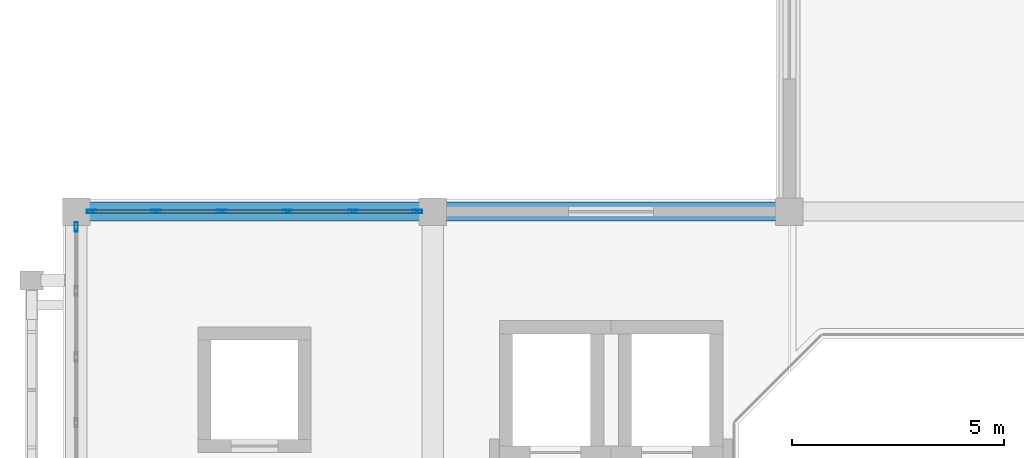
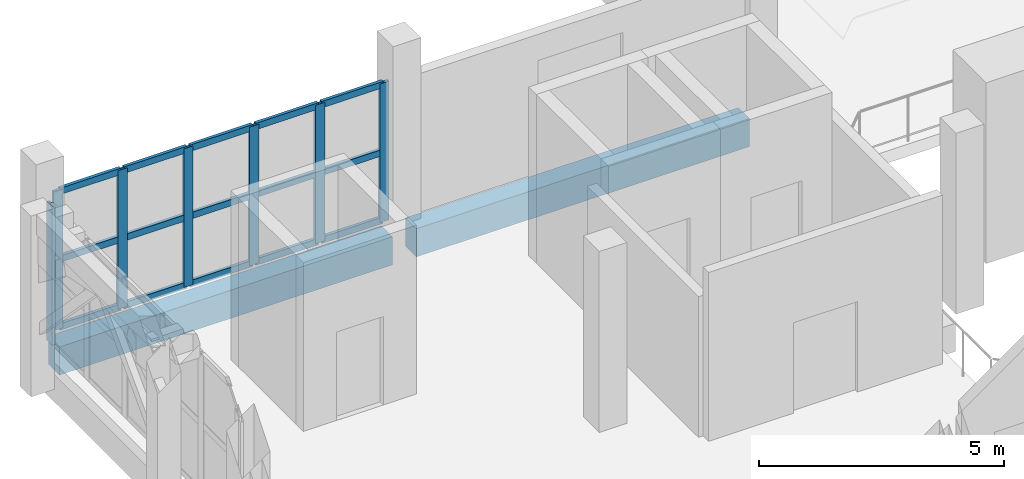
# One storey, part 9 of 22: 22 members, 2 beams, 2 elements without a shape of their own.
"""IFC4 building model written with IfcOpenShell, lengths in metres."""

from ifc_helpers import new_model, si_unit, direction, frame, origin, origin_2d, place, context, subcontext, project, spatial, rectangle, hollow_rectangle, extrude, material, layer, layer_set, material_profile, profile_set, type_object, element, aggregate, save


model = new_model("IFC4")

# Units and contexts
model_context = context("Model", 3, precision=1e-05, world=origin(), true_north=direction((0.0, 1.0)))
body_context = subcontext(model_context, "Body", "Model", "MODEL_VIEW")
ifc_project = project(units=[si_unit("LENGTHUNIT", "METRE"), si_unit("AREAUNIT", "SQUARE_METRE"), si_unit("VOLUMEUNIT", "CUBIC_METRE"), si_unit("PLANEANGLEUNIT", "RADIAN"), si_unit("MASSUNIT", "GRAM", prefix="KILO")], contexts=[model_context])

# Site, building, storey
site_placement = place(None, origin())
site = spatial("IfcSite", under=ifc_project, at=site_placement, CompositionType="ELEMENT")
building_placement = place(site_placement, origin())
building = spatial("IfcBuilding", under=site, at=building_placement, Name="Xazarin Passage Department Store", CompositionType="ELEMENT")
storey_placement = place(building_placement, frame((0.0, 0.0, 27.89990234375)))
storey = spatial("IfcBuildingStorey", under=building, at=storey_placement, Name="L06", CompositionType="ELEMENT", Elevation=27.89990234375)

# Curtain wall, members
ifc_material_1 = material(Name="Bronze anodised aluminium", Category="aluminium")
ifc_layer = layer(ifc_material_1, 0.199951171875)
ifc_layer_set = layer_set([ifc_layer], Name="Bronze anodised aluminium")
curtain_wall_type = type_object("IfcCurtainWallType", Name="ARC-CW-VIT2", PredefinedType="NOTDEFINED", material=ifc_layer_set)
curtain_wall_1_placement = place(storey_placement, origin())
curtain_wall_1 = element("IfcCurtainWall", 1, at=curtain_wall_1_placement, inside=storey, type_object=curtain_wall_type, Name="L06 V1 Curtain Wall 087", PredefinedType="NOTDEFINED")
ifc_material_profile_1 = material_profile(ifc_material_1, hollow_rectangle(XDim=0.074951171875, YDim=0.219970703125, WallThickness=0.0048828125, at=origin_2d()), Name="ALU 75x220")
ifc_profile_set_1 = profile_set([ifc_material_profile_1], Name="Bronze anodised aluminium")
member_type_1 = type_object("IfcMemberType", Name="ARC-CWM-75x220", PredefinedType="MULLION", material=ifc_profile_set_1)
member_1_placement = place(storey_placement, frame((0.362548828125, 101.60009765625, 0.0), z_axis=(0.0, 0.0, 1.0), x_axis=(0.0, 1.0, 0.0)))
member_1 = element("IfcMember", 2, at=member_1_placement, type_object=member_type_1, Name="CW2 mullion 1", PredefinedType="MULLION", context=body_context, shape_type="SweptSolid", body=[
    extrude(hollow_rectangle(XDim=0.074951171875, YDim=0.219970703125, WallThickness=0.0048828125, at=origin_2d()), origin(), (0.0, 0.0, 1.0), 3.4501953125),
])
member_2_placement = place(storey_placement, frame((1.875, 101.60009765625, 0.0), z_axis=(0.0, 0.0, 1.0), x_axis=(0.0, 1.0, 0.0)))
member_2 = element("IfcMember", 3, at=member_2_placement, type_object=member_type_1, Name="CW2 mullion 2", PredefinedType="MULLION", context=body_context, shape_type="SweptSolid", body=[
    extrude(hollow_rectangle(XDim=0.074951171875, YDim=0.219970703125, WallThickness=0.0048828125, at=origin_2d()), origin(), (0.0, 0.0, 1.0), 3.4501953125),
])
member_3_placement = place(storey_placement, frame((3.425048828125, 101.60009765625, 0.0), z_axis=(0.0, 0.0, 1.0), x_axis=(0.0, 1.0, 0.0)))
member_3 = element("IfcMember", 4, at=member_3_placement, type_object=member_type_1, Name="CW2 mullion 3", PredefinedType="MULLION", context=body_context, shape_type="SweptSolid", body=[
    extrude(hollow_rectangle(XDim=0.074951171875, YDim=0.219970703125, WallThickness=0.0048828125, at=origin_2d()), origin(), (0.0, 0.0, 1.0), 3.4501953125),
])
member_4_placement = place(storey_placement, frame((4.97509765625, 101.60009765625, 0.0), z_axis=(0.0, 0.0, 1.0), x_axis=(0.0, 1.0, 0.0)))
member_4 = element("IfcMember", 5, at=member_4_placement, type_object=member_type_1, Name="CW2 mullion 4", PredefinedType="MULLION", context=body_context, shape_type="SweptSolid", body=[
    extrude(hollow_rectangle(XDim=0.074951171875, YDim=0.219970703125, WallThickness=0.0048828125, at=origin_2d()), origin(), (0.0, 0.0, 1.0), 3.4501953125),
])
member_5_placement = place(storey_placement, frame((6.52490234375, 101.60009765625, 0.0), z_axis=(0.0, 0.0, 1.0), x_axis=(0.0, 1.0, 0.0)))
member_5 = element("IfcMember", 6, at=member_5_placement, type_object=member_type_1, Name="CW2 mullion 5", PredefinedType="MULLION", context=body_context, shape_type="SweptSolid", body=[
    extrude(hollow_rectangle(XDim=0.074951171875, YDim=0.219970703125, WallThickness=0.0048828125, at=origin_2d()), origin(), (0.0, 0.0, 1.0), 3.4501953125),
])
member_6_placement = place(storey_placement, frame((8.03759765625, 101.60009765625, 0.0), z_axis=(0.0, 0.0, 1.0), x_axis=(0.0, 1.0, 0.0)))
member_6 = element("IfcMember", 7, at=member_6_placement, type_object=member_type_1, Name="CW2 mullion 6", PredefinedType="MULLION", context=body_context, shape_type="SweptSolid", body=[
    extrude(hollow_rectangle(XDim=0.074951171875, YDim=0.219970703125, WallThickness=0.0048828125, at=origin_2d()), origin(), (0.0, 0.0, 1.0), 3.4501953125),
])

# Curtain wall, member
curtain_wall_2_placement = place(storey_placement, origin())
curtain_wall_2 = element("IfcCurtainWall", 8, at=curtain_wall_2_placement, inside=storey, type_object=curtain_wall_type, Name="L06 V1 Curtain Wall 090", PredefinedType="NOTDEFINED")
member_7_placement = place(storey_placement, frame((0.0, 101.237548828125, 0.0), z_axis=(0.0, 0.0, 1.0), x_axis=(-1.0, 0.0, 0.0)))
member_7 = element("IfcMember", 9, at=member_7_placement, type_object=member_type_1, Name="CW2 mullion 6", PredefinedType="MULLION", context=body_context, shape_type="SweptSolid", body=[
    extrude(hollow_rectangle(XDim=0.074951171875, YDim=0.219970703125, WallThickness=0.0048828125, at=origin_2d()), origin(), (0.0, 0.0, 1.0), 3.4501953125),
])
aggregate(curtain_wall_2, [member_7])

# Member
ifc_material_profile_2 = material_profile(ifc_material_1, hollow_rectangle(XDim=0.074951171875, YDim=0.159912109375, WallThickness=0.00439453125, at=origin_2d()), Name="ALU 75x160")
ifc_profile_set_2 = profile_set([ifc_material_profile_2], Name="Bronze anodised aluminium")
member_type_2 = type_object("IfcMemberType", Name="ARC-CWT-75x160", PredefinedType="USERDEFINED", material=ifc_profile_set_2)
member_8_placement = place(storey_placement, frame((0.39990234375, 101.60009765625, 0.03759765625), z_axis=(1.0, 0.0, 0.0), x_axis=(0.0, 1.0, 0.0)))
member_8 = element("IfcMember", 10, at=member_8_placement, type_object=member_type_2, Name="CW2 transom 1.1", ObjectType="TRANSOM", PredefinedType="USERDEFINED", context=body_context, shape_type="SweptSolid", body=[
    extrude(hollow_rectangle(XDim=0.074951171875, YDim=0.159912109375, WallThickness=0.00439453125, at=origin_2d()), origin(), (0.0, 0.0, 1.0), 1.4375),
])

member_9_placement = place(storey_placement, frame((0.39990234375, 101.60009765625, 1.72509765625), z_axis=(1.0, 0.0, 0.0), x_axis=(0.0, 1.0, 0.0)))
member_9 = element("IfcMember", 11, at=member_9_placement, type_object=member_type_2, Name="CW2 transom 1.2", ObjectType="TRANSOM", PredefinedType="USERDEFINED", context=body_context, shape_type="SweptSolid", body=[
    extrude(hollow_rectangle(XDim=0.074951171875, YDim=0.159912109375, WallThickness=0.00439453125, at=origin_2d()), origin(), (0.0, 0.0, 1.0), 1.4375),
])

member_10_placement = place(storey_placement, frame((0.39990234375, 101.60009765625, 3.41259765625), z_axis=(1.0, 0.0, 0.0), x_axis=(0.0, 1.0, 0.0)))
member_10 = element("IfcMember", 12, at=member_10_placement, type_object=member_type_2, Name="CW2 transom 1.3", ObjectType="TRANSOM", PredefinedType="USERDEFINED", context=body_context, shape_type="SweptSolid", body=[
    extrude(hollow_rectangle(XDim=0.074951171875, YDim=0.159912109375, WallThickness=0.00439453125, at=origin_2d()), origin(), (0.0, 0.0, 1.0), 1.4375),
])

member_11_placement = place(storey_placement, frame((1.91259765625, 101.60009765625, 0.03759765625), z_axis=(1.0, 0.0, 0.0), x_axis=(0.0, 1.0, 0.0)))
member_11 = element("IfcMember", 13, at=member_11_placement, type_object=member_type_2, Name="CW2 transom 2.1", ObjectType="TRANSOM", PredefinedType="USERDEFINED", context=body_context, shape_type="SweptSolid", body=[
    extrude(hollow_rectangle(XDim=0.074951171875, YDim=0.159912109375, WallThickness=0.00439453125, at=origin_2d()), origin(), (0.0, 0.0, 1.0), 1.474853515625),
])

member_12_placement = place(storey_placement, frame((1.91259765625, 101.60009765625, 1.72509765625), z_axis=(1.0, 0.0, 0.0), x_axis=(0.0, 1.0, 0.0)))
member_12 = element("IfcMember", 14, at=member_12_placement, type_object=member_type_2, Name="CW2 transom 2.2", ObjectType="TRANSOM", PredefinedType="USERDEFINED", context=body_context, shape_type="SweptSolid", body=[
    extrude(hollow_rectangle(XDim=0.074951171875, YDim=0.159912109375, WallThickness=0.00439453125, at=origin_2d()), origin(), (0.0, 0.0, 1.0), 1.474853515625),
])

member_13_placement = place(storey_placement, frame((1.91259765625, 101.60009765625, 3.41259765625), z_axis=(1.0, 0.0, 0.0), x_axis=(0.0, 1.0, 0.0)))
member_13 = element("IfcMember", 15, at=member_13_placement, type_object=member_type_2, Name="CW2 transom 2.3", ObjectType="TRANSOM", PredefinedType="USERDEFINED", context=body_context, shape_type="SweptSolid", body=[
    extrude(hollow_rectangle(XDim=0.074951171875, YDim=0.159912109375, WallThickness=0.00439453125, at=origin_2d()), origin(), (0.0, 0.0, 1.0), 1.474853515625),
])

member_14_placement = place(storey_placement, frame((3.46240234375, 101.60009765625, 0.03759765625), z_axis=(1.0, 0.0, 0.0), x_axis=(0.0, 1.0, 0.0)))
member_14 = element("IfcMember", 16, at=member_14_placement, type_object=member_type_2, Name="CW2 transom 3.1", ObjectType="TRANSOM", PredefinedType="USERDEFINED", context=body_context, shape_type="SweptSolid", body=[
    extrude(hollow_rectangle(XDim=0.074951171875, YDim=0.159912109375, WallThickness=0.00439453125, at=origin_2d()), origin(), (0.0, 0.0, 1.0), 1.47509765625),
])

member_15_placement = place(storey_placement, frame((3.46240234375, 101.60009765625, 1.72509765625), z_axis=(1.0, 0.0, 0.0), x_axis=(0.0, 1.0, 0.0)))
member_15 = element("IfcMember", 17, at=member_15_placement, type_object=member_type_2, Name="CW2 transom 3.2", ObjectType="TRANSOM", PredefinedType="USERDEFINED", context=body_context, shape_type="SweptSolid", body=[
    extrude(hollow_rectangle(XDim=0.074951171875, YDim=0.159912109375, WallThickness=0.00439453125, at=origin_2d()), origin(), (0.0, 0.0, 1.0), 1.47509765625),
])

member_16_placement = place(storey_placement, frame((3.46240234375, 101.60009765625, 3.41259765625), z_axis=(1.0, 0.0, 0.0), x_axis=(0.0, 1.0, 0.0)))
member_16 = element("IfcMember", 18, at=member_16_placement, type_object=member_type_2, Name="CW2 transom 3.3", ObjectType="TRANSOM", PredefinedType="USERDEFINED", context=body_context, shape_type="SweptSolid", body=[
    extrude(hollow_rectangle(XDim=0.074951171875, YDim=0.159912109375, WallThickness=0.00439453125, at=origin_2d()), origin(), (0.0, 0.0, 1.0), 1.47509765625),
])

member_17_placement = place(storey_placement, frame((5.012451171875, 101.60009765625, 0.03759765625), z_axis=(1.0, 0.0, 0.0), x_axis=(0.0, 1.0, 0.0)))
member_17 = element("IfcMember", 19, at=member_17_placement, type_object=member_type_2, Name="CW2 transom 4.1", ObjectType="TRANSOM", PredefinedType="USERDEFINED", context=body_context, shape_type="SweptSolid", body=[
    extrude(hollow_rectangle(XDim=0.074951171875, YDim=0.159912109375, WallThickness=0.00439453125, at=origin_2d()), origin(), (0.0, 0.0, 1.0), 1.47509765625),
])

member_18_placement = place(storey_placement, frame((5.012451171875, 101.60009765625, 1.72509765625), z_axis=(1.0, 0.0, 0.0), x_axis=(0.0, 1.0, 0.0)))
member_18 = element("IfcMember", 20, at=member_18_placement, type_object=member_type_2, Name="CW2 transom 4.2", ObjectType="TRANSOM", PredefinedType="USERDEFINED", context=body_context, shape_type="SweptSolid", body=[
    extrude(hollow_rectangle(XDim=0.074951171875, YDim=0.159912109375, WallThickness=0.00439453125, at=origin_2d()), origin(), (0.0, 0.0, 1.0), 1.47509765625),
])

member_19_placement = place(storey_placement, frame((5.012451171875, 101.60009765625, 3.41259765625), z_axis=(1.0, 0.0, 0.0), x_axis=(0.0, 1.0, 0.0)))
member_19 = element("IfcMember", 21, at=member_19_placement, type_object=member_type_2, Name="CW2 transom 4.3", ObjectType="TRANSOM", PredefinedType="USERDEFINED", context=body_context, shape_type="SweptSolid", body=[
    extrude(hollow_rectangle(XDim=0.074951171875, YDim=0.159912109375, WallThickness=0.00439453125, at=origin_2d()), origin(), (0.0, 0.0, 1.0), 1.47509765625),
])

member_20_placement = place(storey_placement, frame((6.5625, 101.60009765625, 0.03759765625), z_axis=(1.0, 0.0, 0.0), x_axis=(0.0, 1.0, 0.0)))
member_20 = element("IfcMember", 22, at=member_20_placement, type_object=member_type_2, Name="CW2 transom 5.1", ObjectType="TRANSOM", PredefinedType="USERDEFINED", context=body_context, shape_type="SweptSolid", body=[
    extrude(hollow_rectangle(XDim=0.074951171875, YDim=0.159912109375, WallThickness=0.00439453125, at=origin_2d()), origin(), (0.0, 0.0, 1.0), 1.4375),
])

member_21_placement = place(storey_placement, frame((6.5625, 101.60009765625, 1.72509765625), z_axis=(1.0, 0.0, 0.0), x_axis=(0.0, 1.0, 0.0)))
member_21 = element("IfcMember", 23, at=member_21_placement, type_object=member_type_2, Name="CW2 transom 5.2", ObjectType="TRANSOM", PredefinedType="USERDEFINED", context=body_context, shape_type="SweptSolid", body=[
    extrude(hollow_rectangle(XDim=0.074951171875, YDim=0.159912109375, WallThickness=0.00439453125, at=origin_2d()), origin(), (0.0, 0.0, 1.0), 1.4375),
])

member_22_placement = place(storey_placement, frame((6.5625, 101.60009765625, 3.41259765625), z_axis=(1.0, 0.0, 0.0), x_axis=(0.0, 1.0, 0.0)))
member_22 = element("IfcMember", 24, at=member_22_placement, type_object=member_type_2, Name="CW2 transom 5.3", ObjectType="TRANSOM", PredefinedType="USERDEFINED", context=body_context, shape_type="SweptSolid", body=[
    extrude(hollow_rectangle(XDim=0.074951171875, YDim=0.159912109375, WallThickness=0.00439453125, at=origin_2d()), origin(), (0.0, 0.0, 1.0), 1.4375),
])

aggregate(curtain_wall_1, [member_1, member_2, member_3, member_4, member_5, member_6, member_8, member_9, member_10, member_11, member_12, member_13, member_14, member_15, member_16, member_17, member_18, member_19, member_20, member_21, member_22])

# Beams
ifc_material_2 = material(Name="Concrete C35/45", Category="concrete")
ifc_material_profile_3 = material_profile(ifc_material_2, rectangle(XDim=0.449951171875, YDim=0.699951171875, at=origin_2d()), Name="RC 450x700")
ifc_profile_set_3 = profile_set([ifc_material_profile_3], Name="Concrete C35/45")
beam_type = type_object("IfcBeamType", Name="STR-BM-G450x700", PredefinedType="BEAM", material=ifc_profile_set_3)
for number, where, z_axis, x_axis, name in (
    (25, (0.280029296875, 101.60009765625, -0.64990234375), (1.0, 0.0, 0.0), (0.0, 1.0, 0.0), "L06 Grid Beam P/1-2"),
    (26, (8.679931640625, 101.60009765625, -0.64990234375), (1.0, 0.0, 0.0), (0.0, 1.0, 0.0), "L06 Grid Beam P/2-3"),
):
    element("IfcBeam", number, at=place(storey_placement, frame(where, z_axis=z_axis, x_axis=x_axis)), inside=storey, type_object=beam_type, Name=name, PredefinedType="BEAM", context=body_context, shape_type="SweptSolid", body=[
        extrude(rectangle(XDim=0.449951171875, YDim=0.699951171875, at=origin_2d()), origin(), (0.0, 0.0, 1.0), 7.840087890625),
    ])

save(model, "model.ifc")
